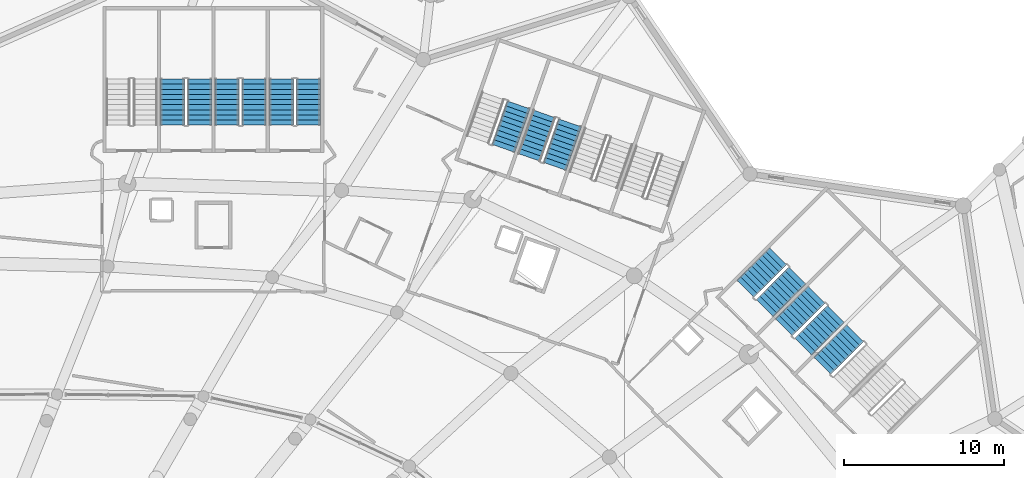
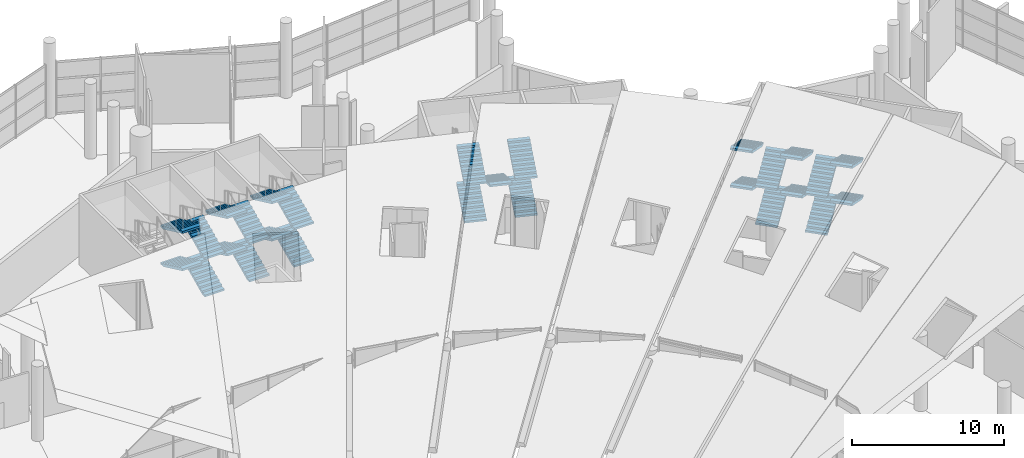
# One storey, part 197 of 249: 27 stair flights, 8 elements without a shape of their own.
"""IFC4 building model written with IfcOpenShell, lengths in metres."""

from ifc_helpers import new_model, si_unit, direction, frame, origin, place, context, subcontext, project, spatial, polyline, outline, extrude, material, type_object, element, aggregate, save


model = new_model("IFC4")

# Units and contexts
model_context = context("Model", 3, precision=1e-05, world=origin(), true_north=direction((0.0, 1.0)))
body_context = subcontext(model_context, "Body", "Model", "MODEL_VIEW")
ifc_project = project(units=[si_unit("LENGTHUNIT", "METRE"), si_unit("AREAUNIT", "SQUARE_METRE"), si_unit("VOLUMEUNIT", "CUBIC_METRE"), si_unit("PLANEANGLEUNIT", "RADIAN"), si_unit("MASSUNIT", "GRAM", prefix="KILO")], contexts=[model_context])

# Site, building, storey
site_placement = place(None, origin())
site = spatial("IfcSite", under=ifc_project, at=site_placement, CompositionType="ELEMENT")
building_placement = place(site_placement, origin())
building = spatial("IfcBuilding", under=site, at=building_placement, Name="Meseta Stadium", CompositionType="ELEMENT")
storey_placement = place(building_placement, frame((0.0, 0.0, 12.0)))
storey = spatial("IfcBuildingStorey", under=building, at=storey_placement, Name="L02", CompositionType="ELEMENT", Elevation=12.0)

# Stair, stair flights
ifc_material_1 = material(Name="Concrete C40/50", Category="concrete")
stair_type = type_object("IfcStairType", Name="Exit stair 4 flights 150 mm risers", PredefinedType="HALF_TURN_STAIR", material=ifc_material_1)
stair_1_placement = place(storey_placement, origin())
stair_1 = element("IfcStair", 1, at=stair_1_placement, inside=storey, type_object=stair_type, Name="ST26 L02", PredefinedType="HALF_TURN_STAIR")
ifc_material_2 = material(Name="Concrete C40/50", Category="concrete")
stair_flight_type = type_object("IfcStairFlightType", Name="Exit stair flight 150 mm risers, 4 per storey", PredefinedType="STRAIGHT", material=ifc_material_2)
stair_flight_1_placement = place(storey_placement, frame((78.40673828125, 81.20458984375, 1.5), z_axis=(0.0, 0.0, 1.0), x_axis=(-0.707106781187, -0.707106781187, 0.0)))
stair_flight_1 = element("IfcStairFlight", 2, at=stair_flight_1_placement, type_object=stair_flight_type, Name="ST26 L02 flight 2", NumberOfRisers=10, NumberOfTreads=9, PredefinedType="STRAIGHT", RiserHeight=0.15, TreadLength=0.32, context=body_context, shape_type="SweptSolid", body=[
    extrude(outline(polyline([(0.0, 0.0), (0.0, 0.14990234375), (0.320068359375, 0.14990234375), (0.320068359375, 0.300048828125), (0.639892578125, 0.300048828125), (0.639892578125, 0.449951171875), (0.9599609375, 0.449951171875), (0.9599609375, 0.60009765625), (1.280029296875, 0.60009765625), (1.280029296875, 0.75), (1.60009765625, 0.75), (1.60009765625, 0.89990234375), (1.919921875, 0.89990234375), (1.919921875, 1.050048828125), (2.239990234375, 1.050048828125), (2.239990234375, 1.199951171875), (2.56005859375, 1.199951171875), (2.56005859375, 1.35009765625), (2.8798828125, 1.35009765625), (2.8798828125, 1.184326171875), (0.353271484375, 0.0), (0.0, 0.0)])), frame((0.0, 0.75, 0.0), z_axis=(0.0, -1.0, 0.0), x_axis=(1.0, 0.0, 0.0)), (0.0, 0.0, 1.0), 1.5),
])
stair_flight_2_placement = place(storey_placement, frame((78.40673828125, 81.20458984375, 4.5), z_axis=(0.0, 0.0, 1.0), x_axis=(-0.707106781187, -0.707106781187, 0.0)))
stair_flight_2 = element("IfcStairFlight", 3, at=stair_flight_2_placement, type_object=stair_flight_type, Name="ST26 L02 flight 4", NumberOfRisers=10, NumberOfTreads=9, PredefinedType="STRAIGHT", RiserHeight=0.15, TreadLength=0.32, context=body_context, shape_type="SweptSolid", body=[
    extrude(outline(polyline([(0.0, 0.0), (0.0, 0.14990234375), (0.320068359375, 0.14990234375), (0.320068359375, 0.300048828125), (0.639892578125, 0.300048828125), (0.639892578125, 0.449951171875), (0.9599609375, 0.449951171875), (0.9599609375, 0.60009765625), (1.280029296875, 0.60009765625), (1.280029296875, 0.75), (1.60009765625, 0.75), (1.60009765625, 0.89990234375), (1.919921875, 0.89990234375), (1.919921875, 1.050048828125), (2.239990234375, 1.050048828125), (2.239990234375, 1.199951171875), (2.56005859375, 1.199951171875), (2.56005859375, 1.35009765625), (2.8798828125, 1.35009765625), (2.8798828125, 1.184326171875), (0.353271484375, 0.0), (0.0, 0.0)])), frame((0.0, 0.75, 0.0), z_axis=(0.0, -1.0, 0.0), x_axis=(1.0, 0.0, 0.0)), (0.0, 0.0, 1.0), 1.5),
])
aggregate(stair_1, [stair_flight_1, stair_flight_2])

stair_2_placement = place(storey_placement, origin())
stair_2 = element("IfcStair", 4, at=stair_2_placement, inside=storey, type_object=stair_type, Name="ST27 L02", PredefinedType="HALF_TURN_STAIR")
stair_flight_3_placement = place(storey_placement, frame((75.168212890625, 80.3701171875, 0.0), z_axis=(0.0, 0.0, 1.0), x_axis=(0.707106781187, 0.707106781187, 0.0)))
stair_flight_3 = element("IfcStairFlight", 5, at=stair_flight_3_placement, type_object=stair_flight_type, Name="ST27 L02 flight 1", NumberOfRisers=10, NumberOfTreads=9, PredefinedType="STRAIGHT", RiserHeight=0.15, TreadLength=0.32, context=body_context, shape_type="SweptSolid", body=[
    extrude(outline(polyline([(0.0, 0.0), (0.0, 0.14990234375), (0.320068359375, 0.14990234375), (0.320068359375, 0.300048828125), (0.639892578125, 0.300048828125), (0.639892578125, 0.449951171875), (0.9599609375, 0.449951171875), (0.9599609375, 0.60009765625), (1.280029296875, 0.60009765625), (1.280029296875, 0.75), (1.60009765625, 0.75), (1.60009765625, 0.89990234375), (1.919921875, 0.89990234375), (1.919921875, 1.050048828125), (2.239990234375, 1.050048828125), (2.239990234375, 1.199951171875), (2.56005859375, 1.199951171875), (2.56005859375, 1.35009765625), (2.8798828125, 1.35009765625), (2.8798828125, 1.184326171875), (0.353271484375, 0.0), (0.0, 0.0)])), frame((0.0, 0.75, 0.0), z_axis=(0.0, -1.0, 0.0), x_axis=(1.0, 0.0, 0.0)), (0.0, 0.0, 1.0), 1.5),
])
stair_flight_4_placement = place(storey_placement, frame((76.00244140625, 83.60888671875, 1.5), z_axis=(0.0, 0.0, 1.0), x_axis=(-0.707106781187, -0.707106781187, 0.0)))
stair_flight_4 = element("IfcStairFlight", 6, at=stair_flight_4_placement, type_object=stair_flight_type, Name="ST27 L02 flight 2", NumberOfRisers=10, NumberOfTreads=9, PredefinedType="STRAIGHT", RiserHeight=0.15, TreadLength=0.32, context=body_context, shape_type="SweptSolid", body=[
    extrude(outline(polyline([(0.0, 0.0), (0.0, 0.14990234375), (0.320068359375, 0.14990234375), (0.320068359375, 0.300048828125), (0.639892578125, 0.300048828125), (0.639892578125, 0.449951171875), (0.9599609375, 0.449951171875), (0.9599609375, 0.60009765625), (1.280029296875, 0.60009765625), (1.280029296875, 0.75), (1.60009765625, 0.75), (1.60009765625, 0.89990234375), (1.919921875, 0.89990234375), (1.919921875, 1.050048828125), (2.239990234375, 1.050048828125), (2.239990234375, 1.199951171875), (2.56005859375, 1.199951171875), (2.56005859375, 1.35009765625), (2.8798828125, 1.35009765625), (2.8798828125, 1.184326171875), (0.353271484375, 0.0), (0.0, 0.0)])), frame((0.0, 0.75, 0.0), z_axis=(0.0, -1.0, 0.0), x_axis=(1.0, 0.0, 0.0)), (0.0, 0.0, 1.0), 1.5),
])
stair_flight_5_placement = place(storey_placement, frame((75.168212890625, 80.3701171875, 3.0), z_axis=(0.0, 0.0, 1.0), x_axis=(0.707106781187, 0.707106781187, 0.0)))
stair_flight_5 = element("IfcStairFlight", 7, at=stair_flight_5_placement, type_object=stair_flight_type, Name="ST27 L02 flight 3", NumberOfRisers=10, NumberOfTreads=9, PredefinedType="STRAIGHT", RiserHeight=0.15, TreadLength=0.32, context=body_context, shape_type="SweptSolid", body=[
    extrude(outline(polyline([(0.0, 0.0), (0.0, 0.14990234375), (0.320068359375, 0.14990234375), (0.320068359375, 0.300048828125), (0.639892578125, 0.300048828125), (0.639892578125, 0.449951171875), (0.9599609375, 0.449951171875), (0.9599609375, 0.60009765625), (1.280029296875, 0.60009765625), (1.280029296875, 0.75), (1.60009765625, 0.75), (1.60009765625, 0.89990234375), (1.919921875, 0.89990234375), (1.919921875, 1.050048828125), (2.239990234375, 1.050048828125), (2.239990234375, 1.199951171875), (2.56005859375, 1.199951171875), (2.56005859375, 1.35009765625), (2.8798828125, 1.35009765625), (2.8798828125, 1.184326171875), (0.353271484375, 0.0), (0.0, 0.0)])), frame((0.0, 0.75, 0.0), z_axis=(0.0, -1.0, 0.0), x_axis=(1.0, 0.0, 0.0)), (0.0, 0.0, 1.0), 1.5),
])
stair_flight_6_placement = place(storey_placement, frame((76.00244140625, 83.60888671875, 4.5), z_axis=(0.0, 0.0, 1.0), x_axis=(-0.707106781187, -0.707106781187, 0.0)))
stair_flight_6 = element("IfcStairFlight", 8, at=stair_flight_6_placement, type_object=stair_flight_type, Name="ST27 L02 flight 4", NumberOfRisers=10, NumberOfTreads=9, PredefinedType="STRAIGHT", RiserHeight=0.15, TreadLength=0.32, context=body_context, shape_type="SweptSolid", body=[
    extrude(outline(polyline([(0.0, 0.0), (0.0, 0.14990234375), (0.320068359375, 0.14990234375), (0.320068359375, 0.300048828125), (0.639892578125, 0.300048828125), (0.639892578125, 0.449951171875), (0.9599609375, 0.449951171875), (0.9599609375, 0.60009765625), (1.280029296875, 0.60009765625), (1.280029296875, 0.75), (1.60009765625, 0.75), (1.60009765625, 0.89990234375), (1.919921875, 0.89990234375), (1.919921875, 1.050048828125), (2.239990234375, 1.050048828125), (2.239990234375, 1.199951171875), (2.56005859375, 1.199951171875), (2.56005859375, 1.35009765625), (2.8798828125, 1.35009765625), (2.8798828125, 1.184326171875), (0.353271484375, 0.0), (0.0, 0.0)])), frame((0.0, 0.75, 0.0), z_axis=(0.0, -1.0, 0.0), x_axis=(1.0, 0.0, 0.0)), (0.0, 0.0, 1.0), 1.5),
])
aggregate(stair_2, [stair_flight_3, stair_flight_4, stair_flight_5, stair_flight_6])

stair_3_placement = place(storey_placement, origin())
stair_3 = element("IfcStair", 9, at=stair_3_placement, inside=storey, type_object=stair_type, Name="ST28 L02", PredefinedType="HALF_TURN_STAIR")
stair_flight_7_placement = place(storey_placement, frame((72.763916015625, 82.7744140625, 0.0), z_axis=(0.0, 0.0, 1.0), x_axis=(0.707106781187, 0.707106781187, 0.0)))
stair_flight_7 = element("IfcStairFlight", 10, at=stair_flight_7_placement, type_object=stair_flight_type, Name="ST28 L02 flight 1", NumberOfRisers=10, NumberOfTreads=9, PredefinedType="STRAIGHT", RiserHeight=0.15, TreadLength=0.32, context=body_context, shape_type="SweptSolid", body=[
    extrude(outline(polyline([(0.0, 0.0), (0.0, 0.14990234375), (0.320068359375, 0.14990234375), (0.320068359375, 0.300048828125), (0.639892578125, 0.300048828125), (0.639892578125, 0.449951171875), (0.9599609375, 0.449951171875), (0.9599609375, 0.60009765625), (1.280029296875, 0.60009765625), (1.280029296875, 0.75), (1.60009765625, 0.75), (1.60009765625, 0.89990234375), (1.919921875, 0.89990234375), (1.919921875, 1.050048828125), (2.239990234375, 1.050048828125), (2.239990234375, 1.199951171875), (2.56005859375, 1.199951171875), (2.56005859375, 1.35009765625), (2.8798828125, 1.35009765625), (2.8798828125, 1.184326171875), (0.353271484375, 0.0), (0.0, 0.0)])), frame((0.0, 0.75, 0.0), z_axis=(0.0, -1.0, 0.0), x_axis=(1.0, 0.0, 0.0)), (0.0, 0.0, 1.0), 1.5),
])
stair_flight_8_placement = place(storey_placement, frame((73.598388671875, 86.012939453125, 1.5), z_axis=(0.0, 0.0, 1.0), x_axis=(-0.707106781187, -0.707106781187, 0.0)))
stair_flight_8 = element("IfcStairFlight", 11, at=stair_flight_8_placement, type_object=stair_flight_type, Name="ST28 L02 flight 2", NumberOfRisers=10, NumberOfTreads=9, PredefinedType="STRAIGHT", RiserHeight=0.15, TreadLength=0.32, context=body_context, shape_type="SweptSolid", body=[
    extrude(outline(polyline([(0.0, 0.0), (0.0, 0.14990234375), (0.320068359375, 0.14990234375), (0.320068359375, 0.300048828125), (0.639892578125, 0.300048828125), (0.639892578125, 0.449951171875), (0.9599609375, 0.449951171875), (0.9599609375, 0.60009765625), (1.280029296875, 0.60009765625), (1.280029296875, 0.75), (1.60009765625, 0.75), (1.60009765625, 0.89990234375), (1.919921875, 0.89990234375), (1.919921875, 1.050048828125), (2.239990234375, 1.050048828125), (2.239990234375, 1.199951171875), (2.56005859375, 1.199951171875), (2.56005859375, 1.35009765625), (2.8798828125, 1.35009765625), (2.8798828125, 1.184326171875), (0.353271484375, 0.0), (0.0, 0.0)])), frame((0.0, 0.75, 0.0), z_axis=(0.0, -1.0, 0.0), x_axis=(1.0, 0.0, 0.0)), (0.0, 0.0, 1.0), 1.5),
])
stair_flight_9_placement = place(storey_placement, frame((72.763916015625, 82.7744140625, 3.0), z_axis=(0.0, 0.0, 1.0), x_axis=(0.707106781187, 0.707106781187, 0.0)))
stair_flight_9 = element("IfcStairFlight", 12, at=stair_flight_9_placement, type_object=stair_flight_type, Name="ST28 L02 flight 3", NumberOfRisers=10, NumberOfTreads=9, PredefinedType="STRAIGHT", RiserHeight=0.15, TreadLength=0.32, context=body_context, shape_type="SweptSolid", body=[
    extrude(outline(polyline([(0.0, 0.0), (0.0, 0.14990234375), (0.320068359375, 0.14990234375), (0.320068359375, 0.300048828125), (0.639892578125, 0.300048828125), (0.639892578125, 0.449951171875), (0.9599609375, 0.449951171875), (0.9599609375, 0.60009765625), (1.280029296875, 0.60009765625), (1.280029296875, 0.75), (1.60009765625, 0.75), (1.60009765625, 0.89990234375), (1.919921875, 0.89990234375), (1.919921875, 1.050048828125), (2.239990234375, 1.050048828125), (2.239990234375, 1.199951171875), (2.56005859375, 1.199951171875), (2.56005859375, 1.35009765625), (2.8798828125, 1.35009765625), (2.8798828125, 1.184326171875), (0.353271484375, 0.0), (0.0, 0.0)])), frame((0.0, 0.75, 0.0), z_axis=(0.0, -1.0, 0.0), x_axis=(1.0, 0.0, 0.0)), (0.0, 0.0, 1.0), 1.5),
])
stair_flight_10_placement = place(storey_placement, frame((73.598388671875, 86.012939453125, 4.5), z_axis=(0.0, 0.0, 1.0), x_axis=(-0.707106781187, -0.707106781187, 0.0)))
stair_flight_10 = element("IfcStairFlight", 13, at=stair_flight_10_placement, type_object=stair_flight_type, Name="ST28 L02 flight 4", NumberOfRisers=10, NumberOfTreads=9, PredefinedType="STRAIGHT", RiserHeight=0.15, TreadLength=0.32, context=body_context, shape_type="SweptSolid", body=[
    extrude(outline(polyline([(0.0, 0.0), (0.0, 0.14990234375), (0.320068359375, 0.14990234375), (0.320068359375, 0.300048828125), (0.639892578125, 0.300048828125), (0.639892578125, 0.449951171875), (0.9599609375, 0.449951171875), (0.9599609375, 0.60009765625), (1.280029296875, 0.60009765625), (1.280029296875, 0.75), (1.60009765625, 0.75), (1.60009765625, 0.89990234375), (1.919921875, 0.89990234375), (1.919921875, 1.050048828125), (2.239990234375, 1.050048828125), (2.239990234375, 1.199951171875), (2.56005859375, 1.199951171875), (2.56005859375, 1.35009765625), (2.8798828125, 1.35009765625), (2.8798828125, 1.184326171875), (0.353271484375, 0.0), (0.0, 0.0)])), frame((0.0, 0.75, 0.0), z_axis=(0.0, -1.0, 0.0), x_axis=(1.0, 0.0, 0.0)), (0.0, 0.0, 1.0), 1.5),
])
aggregate(stair_3, [stair_flight_7, stair_flight_8, stair_flight_9, stair_flight_10])

stair_4_placement = place(storey_placement, origin())
stair_4 = element("IfcStair", 14, at=stair_4_placement, inside=storey, type_object=stair_type, Name="ST31 L02", PredefinedType="HALF_TURN_STAIR")
stair_flight_11_placement = place(storey_placement, frame((59.663818359375, 91.622802734375, 0.0), z_axis=(0.0, 0.0, 1.0), x_axis=(0.330279057248, 0.943883331955, 0.0)))
stair_flight_11 = element("IfcStairFlight", 15, at=stair_flight_11_placement, type_object=stair_flight_type, Name="ST31 L02 flight 1", NumberOfRisers=10, NumberOfTreads=9, PredefinedType="STRAIGHT", RiserHeight=0.15, TreadLength=0.32, context=body_context, shape_type="SweptSolid", body=[
    extrude(outline(polyline([(0.0, 0.0), (0.0, 0.14990234375), (0.320068359375, 0.14990234375), (0.320068359375, 0.300048828125), (0.639892578125, 0.300048828125), (0.639892578125, 0.449951171875), (0.9599609375, 0.449951171875), (0.9599609375, 0.60009765625), (1.280029296875, 0.60009765625), (1.280029296875, 0.75), (1.60009765625, 0.75), (1.60009765625, 0.89990234375), (1.919921875, 0.89990234375), (1.919921875, 1.050048828125), (2.239990234375, 1.050048828125), (2.239990234375, 1.199951171875), (2.56005859375, 1.199951171875), (2.56005859375, 1.35009765625), (2.8798828125, 1.35009765625), (2.8798828125, 1.184326171875), (0.353271484375, 0.0), (0.0, 0.0)])), frame((0.0, 0.75, 0.0), z_axis=(0.0, -1.0, 0.0), x_axis=(1.0, 0.0, 0.0)), (0.0, 0.0, 1.0), 1.5),
])
stair_flight_12_placement = place(storey_placement, frame((59.010498046875, 94.902587890625, 1.5), z_axis=(0.0, 0.0, 1.0), x_axis=(-0.330279057248, -0.943883331955, 0.0)))
stair_flight_12 = element("IfcStairFlight", 16, at=stair_flight_12_placement, type_object=stair_flight_type, Name="ST31 L02 flight 2", NumberOfRisers=10, NumberOfTreads=9, PredefinedType="STRAIGHT", RiserHeight=0.15, TreadLength=0.32, context=body_context, shape_type="SweptSolid", body=[
    extrude(outline(polyline([(0.0, 0.0), (0.0, 0.14990234375), (0.320068359375, 0.14990234375), (0.320068359375, 0.300048828125), (0.639892578125, 0.300048828125), (0.639892578125, 0.449951171875), (0.9599609375, 0.449951171875), (0.9599609375, 0.60009765625), (1.280029296875, 0.60009765625), (1.280029296875, 0.75), (1.60009765625, 0.75), (1.60009765625, 0.89990234375), (1.919921875, 0.89990234375), (1.919921875, 1.050048828125), (2.239990234375, 1.050048828125), (2.239990234375, 1.199951171875), (2.56005859375, 1.199951171875), (2.56005859375, 1.35009765625), (2.8798828125, 1.35009765625), (2.8798828125, 1.184326171875), (0.353271484375, 0.0), (0.0, 0.0)])), frame((0.0, 0.75, 0.0), z_axis=(0.0, -1.0, 0.0), x_axis=(1.0, 0.0, 0.0)), (0.0, 0.0, 1.0), 1.5),
])
stair_flight_13_placement = place(storey_placement, frame((59.663818359375, 91.622802734375, 3.0), z_axis=(0.0, 0.0, 1.0), x_axis=(0.330279057248, 0.943883331955, 0.0)))
stair_flight_13 = element("IfcStairFlight", 17, at=stair_flight_13_placement, type_object=stair_flight_type, Name="ST31 L02 flight 3", NumberOfRisers=10, NumberOfTreads=9, PredefinedType="STRAIGHT", RiserHeight=0.15, TreadLength=0.32, context=body_context, shape_type="SweptSolid", body=[
    extrude(outline(polyline([(0.0, 0.0), (0.0, 0.14990234375), (0.320068359375, 0.14990234375), (0.320068359375, 0.300048828125), (0.639892578125, 0.300048828125), (0.639892578125, 0.449951171875), (0.9599609375, 0.449951171875), (0.9599609375, 0.60009765625), (1.280029296875, 0.60009765625), (1.280029296875, 0.75), (1.60009765625, 0.75), (1.60009765625, 0.89990234375), (1.919921875, 0.89990234375), (1.919921875, 1.050048828125), (2.239990234375, 1.050048828125), (2.239990234375, 1.199951171875), (2.56005859375, 1.199951171875), (2.56005859375, 1.35009765625), (2.8798828125, 1.35009765625), (2.8798828125, 1.184326171875), (0.353271484375, 0.0), (0.0, 0.0)])), frame((0.0, 0.75, 0.0), z_axis=(0.0, -1.0, 0.0), x_axis=(1.0, 0.0, 0.0)), (0.0, 0.0, 1.0), 1.5),
])
aggregate(stair_4, [stair_flight_11, stair_flight_12, stair_flight_13])

stair_5_placement = place(storey_placement, origin())
stair_5 = element("IfcStair", 18, at=stair_5_placement, inside=storey, type_object=stair_type, Name="ST32 L02", PredefinedType="HALF_TURN_STAIR")
stair_flight_14_placement = place(storey_placement, frame((56.454833984375, 92.745849609375, 0.0), z_axis=(0.0, 0.0, 1.0), x_axis=(0.330279057248, 0.943883331955, 0.0)))
stair_flight_14 = element("IfcStairFlight", 19, at=stair_flight_14_placement, type_object=stair_flight_type, Name="ST32 L02 flight 1", NumberOfRisers=10, NumberOfTreads=9, PredefinedType="STRAIGHT", RiserHeight=0.15, TreadLength=0.32, context=body_context, shape_type="SweptSolid", body=[
    extrude(outline(polyline([(0.0, 0.0), (0.0, 0.14990234375), (0.320068359375, 0.14990234375), (0.320068359375, 0.300048828125), (0.639892578125, 0.300048828125), (0.639892578125, 0.449951171875), (0.9599609375, 0.449951171875), (0.9599609375, 0.60009765625), (1.280029296875, 0.60009765625), (1.280029296875, 0.75), (1.60009765625, 0.75), (1.60009765625, 0.89990234375), (1.919921875, 0.89990234375), (1.919921875, 1.050048828125), (2.239990234375, 1.050048828125), (2.239990234375, 1.199951171875), (2.56005859375, 1.199951171875), (2.56005859375, 1.35009765625), (2.8798828125, 1.35009765625), (2.8798828125, 1.184326171875), (0.353271484375, 0.0), (0.0, 0.0)])), frame((0.0, 0.75, 0.0), z_axis=(0.0, -1.0, 0.0), x_axis=(1.0, 0.0, 0.0)), (0.0, 0.0, 1.0), 1.5),
])
stair_flight_15_placement = place(storey_placement, frame((56.454833984375, 92.745849609375, 3.0), z_axis=(0.0, 0.0, 1.0), x_axis=(0.330279057248, 0.943883331955, 0.0)))
stair_flight_15 = element("IfcStairFlight", 20, at=stair_flight_15_placement, type_object=stair_flight_type, Name="ST32 L02 flight 3", NumberOfRisers=10, NumberOfTreads=9, PredefinedType="STRAIGHT", RiserHeight=0.15, TreadLength=0.32, context=body_context, shape_type="SweptSolid", body=[
    extrude(outline(polyline([(0.0, 0.0), (0.0, 0.14990234375), (0.320068359375, 0.14990234375), (0.320068359375, 0.300048828125), (0.639892578125, 0.300048828125), (0.639892578125, 0.449951171875), (0.9599609375, 0.449951171875), (0.9599609375, 0.60009765625), (1.280029296875, 0.60009765625), (1.280029296875, 0.75), (1.60009765625, 0.75), (1.60009765625, 0.89990234375), (1.919921875, 0.89990234375), (1.919921875, 1.050048828125), (2.239990234375, 1.050048828125), (2.239990234375, 1.199951171875), (2.56005859375, 1.199951171875), (2.56005859375, 1.35009765625), (2.8798828125, 1.35009765625), (2.8798828125, 1.184326171875), (0.353271484375, 0.0), (0.0, 0.0)])), frame((0.0, 0.75, 0.0), z_axis=(0.0, -1.0, 0.0), x_axis=(1.0, 0.0, 0.0)), (0.0, 0.0, 1.0), 1.5),
])
aggregate(stair_5, [stair_flight_14, stair_flight_15])

stair_6_placement = place(storey_placement, origin())
stair_6 = element("IfcStair", 21, at=stair_6_placement, inside=storey, type_object=stair_type, Name="ST33 L02", PredefinedType="HALF_TURN_STAIR")
stair_flight_16_placement = place(storey_placement, frame((44.283447265625, 94.199951171875, 0.0), z_axis=(0.0, 0.0, 1.0), x_axis=(0.0, 1.0, 0.0)))
stair_flight_16 = element("IfcStairFlight", 22, at=stair_flight_16_placement, type_object=stair_flight_type, Name="ST33 L02 flight 1", NumberOfRisers=10, NumberOfTreads=9, PredefinedType="STRAIGHT", RiserHeight=0.15, TreadLength=0.32, context=body_context, shape_type="SweptSolid", body=[
    extrude(outline(polyline([(0.0, 0.0), (0.0, 0.14990234375), (0.320068359375, 0.14990234375), (0.320068359375, 0.300048828125), (0.639892578125, 0.300048828125), (0.639892578125, 0.449951171875), (0.9599609375, 0.449951171875), (0.9599609375, 0.60009765625), (1.280029296875, 0.60009765625), (1.280029296875, 0.75), (1.60009765625, 0.75), (1.60009765625, 0.89990234375), (1.919921875, 0.89990234375), (1.919921875, 1.050048828125), (2.239990234375, 1.050048828125), (2.239990234375, 1.199951171875), (2.56005859375, 1.199951171875), (2.56005859375, 1.35009765625), (2.8798828125, 1.35009765625), (2.8798828125, 1.184326171875), (0.353271484375, 0.0), (0.0, 0.0)])), frame((0.0, 0.75, 0.0), z_axis=(0.0, -1.0, 0.0), x_axis=(1.0, 0.0, 0.0)), (0.0, 0.0, 1.0), 1.5),
])
stair_flight_17_placement = place(storey_placement, frame((42.583251953125, 97.080078125, 1.5), z_axis=(0.0, 0.0, 1.0), x_axis=(0.0, -1.0, 0.0)))
stair_flight_17 = element("IfcStairFlight", 23, at=stair_flight_17_placement, type_object=stair_flight_type, Name="ST33 L02 flight 2", NumberOfRisers=10, NumberOfTreads=9, PredefinedType="STRAIGHT", RiserHeight=0.15, TreadLength=0.32, context=body_context, shape_type="SweptSolid", body=[
    extrude(outline(polyline([(0.0, 0.0), (0.0, 0.14990234375), (0.320068359375, 0.14990234375), (0.320068359375, 0.300048828125), (0.639892578125, 0.300048828125), (0.639892578125, 0.449951171875), (0.9599609375, 0.449951171875), (0.9599609375, 0.60009765625), (1.280029296875, 0.60009765625), (1.280029296875, 0.75), (1.60009765625, 0.75), (1.60009765625, 0.89990234375), (1.919921875, 0.89990234375), (1.919921875, 1.050048828125), (2.239990234375, 1.050048828125), (2.239990234375, 1.199951171875), (2.56005859375, 1.199951171875), (2.56005859375, 1.35009765625), (2.8798828125, 1.35009765625), (2.8798828125, 1.184326171875), (0.353271484375, 0.0), (0.0, 0.0)])), frame((0.0, 0.75, 0.0), z_axis=(0.0, -1.0, 0.0), x_axis=(1.0, 0.0, 0.0)), (0.0, 0.0, 1.0), 1.5),
])
stair_flight_18_placement = place(storey_placement, frame((44.283447265625, 94.199951171875, 3.0), z_axis=(0.0, 0.0, 1.0), x_axis=(0.0, 1.0, 0.0)))
stair_flight_18 = element("IfcStairFlight", 24, at=stair_flight_18_placement, type_object=stair_flight_type, Name="ST33 L02 flight 3", NumberOfRisers=10, NumberOfTreads=9, PredefinedType="STRAIGHT", RiserHeight=0.15, TreadLength=0.32, context=body_context, shape_type="SweptSolid", body=[
    extrude(outline(polyline([(0.0, 0.0), (0.0, 0.14990234375), (0.320068359375, 0.14990234375), (0.320068359375, 0.300048828125), (0.639892578125, 0.300048828125), (0.639892578125, 0.449951171875), (0.9599609375, 0.449951171875), (0.9599609375, 0.60009765625), (1.280029296875, 0.60009765625), (1.280029296875, 0.75), (1.60009765625, 0.75), (1.60009765625, 0.89990234375), (1.919921875, 0.89990234375), (1.919921875, 1.050048828125), (2.239990234375, 1.050048828125), (2.239990234375, 1.199951171875), (2.56005859375, 1.199951171875), (2.56005859375, 1.35009765625), (2.8798828125, 1.35009765625), (2.8798828125, 1.184326171875), (0.353271484375, 0.0), (0.0, 0.0)])), frame((0.0, 0.75, 0.0), z_axis=(0.0, -1.0, 0.0), x_axis=(1.0, 0.0, 0.0)), (0.0, 0.0, 1.0), 1.5),
])
stair_flight_19_placement = place(storey_placement, frame((42.583251953125, 97.080078125, 4.5), z_axis=(0.0, 0.0, 1.0), x_axis=(0.0, -1.0, 0.0)))
stair_flight_19 = element("IfcStairFlight", 25, at=stair_flight_19_placement, type_object=stair_flight_type, Name="ST33 L02 flight 4", NumberOfRisers=10, NumberOfTreads=9, PredefinedType="STRAIGHT", RiserHeight=0.15, TreadLength=0.32, context=body_context, shape_type="SweptSolid", body=[
    extrude(outline(polyline([(0.0, 0.0), (0.0, 0.14990234375), (0.320068359375, 0.14990234375), (0.320068359375, 0.300048828125), (0.639892578125, 0.300048828125), (0.639892578125, 0.449951171875), (0.9599609375, 0.449951171875), (0.9599609375, 0.60009765625), (1.280029296875, 0.60009765625), (1.280029296875, 0.75), (1.60009765625, 0.75), (1.60009765625, 0.89990234375), (1.919921875, 0.89990234375), (1.919921875, 1.050048828125), (2.239990234375, 1.050048828125), (2.239990234375, 1.199951171875), (2.56005859375, 1.199951171875), (2.56005859375, 1.35009765625), (2.8798828125, 1.35009765625), (2.8798828125, 1.184326171875), (0.353271484375, 0.0), (0.0, 0.0)])), frame((0.0, 0.75, 0.0), z_axis=(0.0, -1.0, 0.0), x_axis=(1.0, 0.0, 0.0)), (0.0, 0.0, 1.0), 1.5),
])
aggregate(stair_6, [stair_flight_16, stair_flight_17, stair_flight_18, stair_flight_19])

stair_7_placement = place(storey_placement, origin())
stair_7 = element("IfcStair", 26, at=stair_7_placement, inside=storey, type_object=stair_type, Name="ST34 L02", PredefinedType="HALF_TURN_STAIR")
stair_flight_20_placement = place(storey_placement, frame((40.88330078125, 94.199951171875, 0.0), z_axis=(0.0, 0.0, 1.0), x_axis=(0.0, 1.0, 0.0)))
stair_flight_20 = element("IfcStairFlight", 27, at=stair_flight_20_placement, type_object=stair_flight_type, Name="ST34 L02 flight 1", NumberOfRisers=10, NumberOfTreads=9, PredefinedType="STRAIGHT", RiserHeight=0.15, TreadLength=0.32, context=body_context, shape_type="SweptSolid", body=[
    extrude(outline(polyline([(0.0, 0.0), (0.0, 0.14990234375), (0.320068359375, 0.14990234375), (0.320068359375, 0.300048828125), (0.639892578125, 0.300048828125), (0.639892578125, 0.449951171875), (0.9599609375, 0.449951171875), (0.9599609375, 0.60009765625), (1.280029296875, 0.60009765625), (1.280029296875, 0.75), (1.60009765625, 0.75), (1.60009765625, 0.89990234375), (1.919921875, 0.89990234375), (1.919921875, 1.050048828125), (2.239990234375, 1.050048828125), (2.239990234375, 1.199951171875), (2.56005859375, 1.199951171875), (2.56005859375, 1.35009765625), (2.8798828125, 1.35009765625), (2.8798828125, 1.184326171875), (0.353271484375, 0.0), (0.0, 0.0)])), frame((0.0, 0.75, 0.0), z_axis=(0.0, -1.0, 0.0), x_axis=(1.0, 0.0, 0.0)), (0.0, 0.0, 1.0), 1.5),
])
stair_flight_21_placement = place(storey_placement, frame((39.183349609375, 97.080078125, 1.5), z_axis=(0.0, 0.0, 1.0), x_axis=(0.0, -1.0, 0.0)))
stair_flight_21 = element("IfcStairFlight", 28, at=stair_flight_21_placement, type_object=stair_flight_type, Name="ST34 L02 flight 2", NumberOfRisers=10, NumberOfTreads=9, PredefinedType="STRAIGHT", RiserHeight=0.15, TreadLength=0.32, context=body_context, shape_type="SweptSolid", body=[
    extrude(outline(polyline([(0.0, 0.0), (0.0, 0.14990234375), (0.320068359375, 0.14990234375), (0.320068359375, 0.300048828125), (0.639892578125, 0.300048828125), (0.639892578125, 0.449951171875), (0.9599609375, 0.449951171875), (0.9599609375, 0.60009765625), (1.280029296875, 0.60009765625), (1.280029296875, 0.75), (1.60009765625, 0.75), (1.60009765625, 0.89990234375), (1.919921875, 0.89990234375), (1.919921875, 1.050048828125), (2.239990234375, 1.050048828125), (2.239990234375, 1.199951171875), (2.56005859375, 1.199951171875), (2.56005859375, 1.35009765625), (2.8798828125, 1.35009765625), (2.8798828125, 1.184326171875), (0.353271484375, 0.0), (0.0, 0.0)])), frame((0.0, 0.75, 0.0), z_axis=(0.0, -1.0, 0.0), x_axis=(1.0, 0.0, 0.0)), (0.0, 0.0, 1.0), 1.5),
])
stair_flight_22_placement = place(storey_placement, frame((40.88330078125, 94.199951171875, 3.0), z_axis=(0.0, 0.0, 1.0), x_axis=(0.0, 1.0, 0.0)))
stair_flight_22 = element("IfcStairFlight", 29, at=stair_flight_22_placement, type_object=stair_flight_type, Name="ST34 L02 flight 3", NumberOfRisers=10, NumberOfTreads=9, PredefinedType="STRAIGHT", RiserHeight=0.15, TreadLength=0.32, context=body_context, shape_type="SweptSolid", body=[
    extrude(outline(polyline([(0.0, 0.0), (0.0, 0.14990234375), (0.320068359375, 0.14990234375), (0.320068359375, 0.300048828125), (0.639892578125, 0.300048828125), (0.639892578125, 0.449951171875), (0.9599609375, 0.449951171875), (0.9599609375, 0.60009765625), (1.280029296875, 0.60009765625), (1.280029296875, 0.75), (1.60009765625, 0.75), (1.60009765625, 0.89990234375), (1.919921875, 0.89990234375), (1.919921875, 1.050048828125), (2.239990234375, 1.050048828125), (2.239990234375, 1.199951171875), (2.56005859375, 1.199951171875), (2.56005859375, 1.35009765625), (2.8798828125, 1.35009765625), (2.8798828125, 1.184326171875), (0.353271484375, 0.0), (0.0, 0.0)])), frame((0.0, 0.75, 0.0), z_axis=(0.0, -1.0, 0.0), x_axis=(1.0, 0.0, 0.0)), (0.0, 0.0, 1.0), 1.5),
])
stair_flight_23_placement = place(storey_placement, frame((39.183349609375, 97.080078125, 4.5), z_axis=(0.0, 0.0, 1.0), x_axis=(0.0, -1.0, 0.0)))
stair_flight_23 = element("IfcStairFlight", 30, at=stair_flight_23_placement, type_object=stair_flight_type, Name="ST34 L02 flight 4", NumberOfRisers=10, NumberOfTreads=9, PredefinedType="STRAIGHT", RiserHeight=0.15, TreadLength=0.32, context=body_context, shape_type="SweptSolid", body=[
    extrude(outline(polyline([(0.0, 0.0), (0.0, 0.14990234375), (0.320068359375, 0.14990234375), (0.320068359375, 0.300048828125), (0.639892578125, 0.300048828125), (0.639892578125, 0.449951171875), (0.9599609375, 0.449951171875), (0.9599609375, 0.60009765625), (1.280029296875, 0.60009765625), (1.280029296875, 0.75), (1.60009765625, 0.75), (1.60009765625, 0.89990234375), (1.919921875, 0.89990234375), (1.919921875, 1.050048828125), (2.239990234375, 1.050048828125), (2.239990234375, 1.199951171875), (2.56005859375, 1.199951171875), (2.56005859375, 1.35009765625), (2.8798828125, 1.35009765625), (2.8798828125, 1.184326171875), (0.353271484375, 0.0), (0.0, 0.0)])), frame((0.0, 0.75, 0.0), z_axis=(0.0, -1.0, 0.0), x_axis=(1.0, 0.0, 0.0)), (0.0, 0.0, 1.0), 1.5),
])
aggregate(stair_7, [stair_flight_20, stair_flight_21, stair_flight_22, stair_flight_23])

stair_8_placement = place(storey_placement, origin())
stair_8 = element("IfcStair", 31, at=stair_8_placement, inside=storey, type_object=stair_type, Name="ST35 L02", PredefinedType="HALF_TURN_STAIR")
stair_flight_24_placement = place(storey_placement, frame((37.4833984375, 94.199951171875, 0.0), z_axis=(0.0, 0.0, 1.0), x_axis=(0.0, 1.0, 0.0)))
stair_flight_24 = element("IfcStairFlight", 32, at=stair_flight_24_placement, type_object=stair_flight_type, Name="ST35 L02 flight 1", NumberOfRisers=10, NumberOfTreads=9, PredefinedType="STRAIGHT", RiserHeight=0.15, TreadLength=0.32, context=body_context, shape_type="SweptSolid", body=[
    extrude(outline(polyline([(0.0, 0.0), (0.0, 0.14990234375), (0.320068359375, 0.14990234375), (0.320068359375, 0.300048828125), (0.639892578125, 0.300048828125), (0.639892578125, 0.449951171875), (0.9599609375, 0.449951171875), (0.9599609375, 0.60009765625), (1.280029296875, 0.60009765625), (1.280029296875, 0.75), (1.60009765625, 0.75), (1.60009765625, 0.89990234375), (1.919921875, 0.89990234375), (1.919921875, 1.050048828125), (2.239990234375, 1.050048828125), (2.239990234375, 1.199951171875), (2.56005859375, 1.199951171875), (2.56005859375, 1.35009765625), (2.8798828125, 1.35009765625), (2.8798828125, 1.184326171875), (0.353271484375, 0.0), (0.0, 0.0)])), frame((0.0, 0.75, 0.0), z_axis=(0.0, -1.0, 0.0), x_axis=(1.0, 0.0, 0.0)), (0.0, 0.0, 1.0), 1.5),
])
stair_flight_25_placement = place(storey_placement, frame((35.783447265625, 97.080078125, 1.5), z_axis=(0.0, 0.0, 1.0), x_axis=(0.0, -1.0, 0.0)))
stair_flight_25 = element("IfcStairFlight", 33, at=stair_flight_25_placement, type_object=stair_flight_type, Name="ST35 L02 flight 2", NumberOfRisers=10, NumberOfTreads=9, PredefinedType="STRAIGHT", RiserHeight=0.15, TreadLength=0.32, context=body_context, shape_type="SweptSolid", body=[
    extrude(outline(polyline([(0.0, 0.0), (0.0, 0.14990234375), (0.320068359375, 0.14990234375), (0.320068359375, 0.300048828125), (0.639892578125, 0.300048828125), (0.639892578125, 0.449951171875), (0.9599609375, 0.449951171875), (0.9599609375, 0.60009765625), (1.280029296875, 0.60009765625), (1.280029296875, 0.75), (1.60009765625, 0.75), (1.60009765625, 0.89990234375), (1.919921875, 0.89990234375), (1.919921875, 1.050048828125), (2.239990234375, 1.050048828125), (2.239990234375, 1.199951171875), (2.56005859375, 1.199951171875), (2.56005859375, 1.35009765625), (2.8798828125, 1.35009765625), (2.8798828125, 1.184326171875), (0.353271484375, 0.0), (0.0, 0.0)])), frame((0.0, 0.75, 0.0), z_axis=(0.0, -1.0, 0.0), x_axis=(1.0, 0.0, 0.0)), (0.0, 0.0, 1.0), 1.5),
])
stair_flight_26_placement = place(storey_placement, frame((37.4833984375, 94.199951171875, 3.0), z_axis=(0.0, 0.0, 1.0), x_axis=(0.0, 1.0, 0.0)))
stair_flight_26 = element("IfcStairFlight", 34, at=stair_flight_26_placement, type_object=stair_flight_type, Name="ST35 L02 flight 3", NumberOfRisers=10, NumberOfTreads=9, PredefinedType="STRAIGHT", RiserHeight=0.15, TreadLength=0.32, context=body_context, shape_type="SweptSolid", body=[
    extrude(outline(polyline([(0.0, 0.0), (0.0, 0.14990234375), (0.320068359375, 0.14990234375), (0.320068359375, 0.300048828125), (0.639892578125, 0.300048828125), (0.639892578125, 0.449951171875), (0.9599609375, 0.449951171875), (0.9599609375, 0.60009765625), (1.280029296875, 0.60009765625), (1.280029296875, 0.75), (1.60009765625, 0.75), (1.60009765625, 0.89990234375), (1.919921875, 0.89990234375), (1.919921875, 1.050048828125), (2.239990234375, 1.050048828125), (2.239990234375, 1.199951171875), (2.56005859375, 1.199951171875), (2.56005859375, 1.35009765625), (2.8798828125, 1.35009765625), (2.8798828125, 1.184326171875), (0.353271484375, 0.0), (0.0, 0.0)])), frame((0.0, 0.75, 0.0), z_axis=(0.0, -1.0, 0.0), x_axis=(1.0, 0.0, 0.0)), (0.0, 0.0, 1.0), 1.5),
])
stair_flight_27_placement = place(storey_placement, frame((35.783447265625, 97.080078125, 4.5), z_axis=(0.0, 0.0, 1.0), x_axis=(0.0, -1.0, 0.0)))
stair_flight_27 = element("IfcStairFlight", 35, at=stair_flight_27_placement, type_object=stair_flight_type, Name="ST35 L02 flight 4", NumberOfRisers=10, NumberOfTreads=9, PredefinedType="STRAIGHT", RiserHeight=0.15, TreadLength=0.32, context=body_context, shape_type="SweptSolid", body=[
    extrude(outline(polyline([(0.0, 0.0), (0.0, 0.14990234375), (0.320068359375, 0.14990234375), (0.320068359375, 0.300048828125), (0.639892578125, 0.300048828125), (0.639892578125, 0.449951171875), (0.9599609375, 0.449951171875), (0.9599609375, 0.60009765625), (1.280029296875, 0.60009765625), (1.280029296875, 0.75), (1.60009765625, 0.75), (1.60009765625, 0.89990234375), (1.919921875, 0.89990234375), (1.919921875, 1.050048828125), (2.239990234375, 1.050048828125), (2.239990234375, 1.199951171875), (2.56005859375, 1.199951171875), (2.56005859375, 1.35009765625), (2.8798828125, 1.35009765625), (2.8798828125, 1.184326171875), (0.353271484375, 0.0), (0.0, 0.0)])), frame((0.0, 0.75, 0.0), z_axis=(0.0, -1.0, 0.0), x_axis=(1.0, 0.0, 0.0)), (0.0, 0.0, 1.0), 1.5),
])
aggregate(stair_8, [stair_flight_24, stair_flight_25, stair_flight_26, stair_flight_27])

save(model, "model.ifc")
